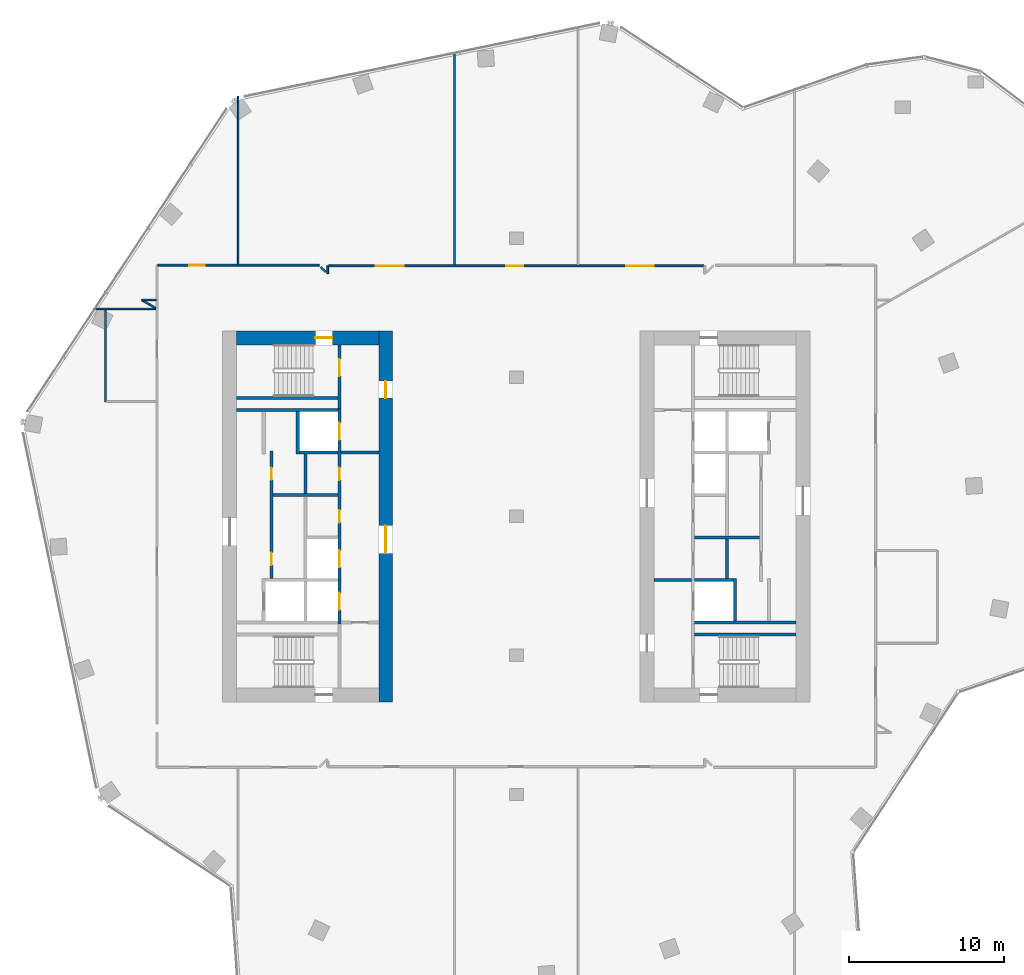
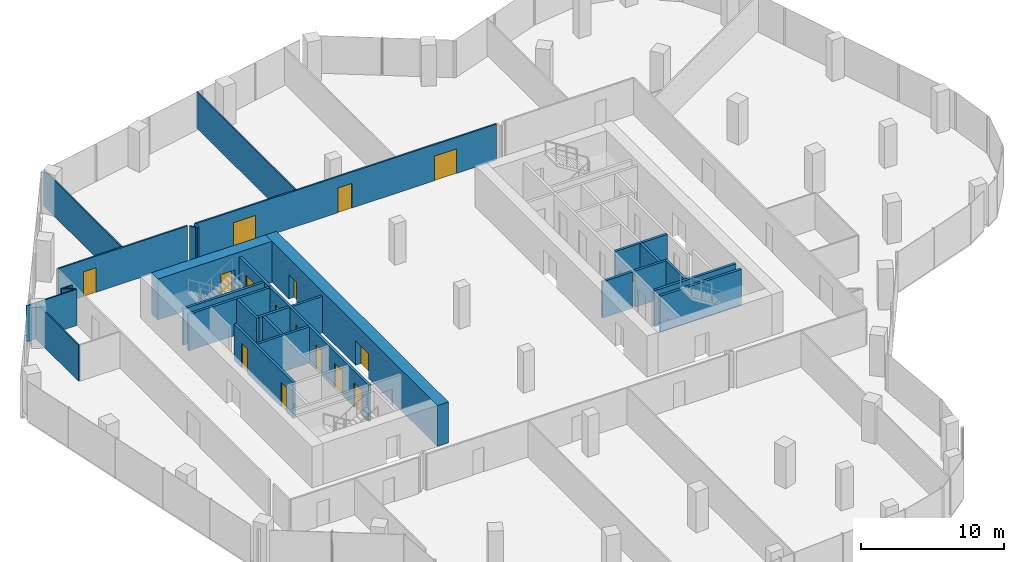
# One storey, part 19 of 24: 29 walls, 15 doors, 15 openings.
"""IFC4 building model written with IfcOpenShell, lengths in metres."""

from ifc_helpers import new_model, si_unit, direction, frame, frame_2d, origin, place, context, subcontext, project, spatial, rectangle, extrude, material, layer, layer_set, type_object, element, fill, save


model = new_model("IFC4")

# Units and contexts
model_context = context("Model", 3, precision=1e-05, world=origin(), true_north=direction((0.0, 1.0)))
body_context = subcontext(model_context, "Body", "Model", "MODEL_VIEW")
ifc_project = project(units=[si_unit("LENGTHUNIT", "METRE"), si_unit("AREAUNIT", "SQUARE_METRE"), si_unit("VOLUMEUNIT", "CUBIC_METRE"), si_unit("PLANEANGLEUNIT", "RADIAN"), si_unit("MASSUNIT", "GRAM", prefix="KILO")], contexts=[model_context])

# Site, building, storey
site_placement = place(None, origin())
site = spatial("IfcSite", under=ifc_project, at=site_placement, CompositionType="ELEMENT")
building_placement = place(site_placement, origin())
building = spatial("IfcBuilding", under=site, at=building_placement, Name="Orlundy Tower", CompositionType="ELEMENT")
storey_placement = place(building_placement, frame((0.0, 0.0, 242.5)))
storey = spatial("IfcBuildingStorey", under=building, at=storey_placement, Name="L64", CompositionType="ELEMENT", Elevation=242.5)

# Wall, opening, door
ifc_material_1 = material(Name="Concrete C60/75", Category="concrete")
ifc_layer_1 = layer(ifc_material_1, 0.89990234375)
ifc_layer_set_1 = layer_set([ifc_layer_1], Name="CORE WALL 900 C60/75")
wall_type_1 = type_object("IfcWallType", Name="CORE WALL 900 C60/75", PredefinedType="SHEAR", material=ifc_layer_set_1)
wall_1_placement = place(storey_placement, frame((-18.10009765625, 11.550048828125, 0.0), z_axis=(0.0, 0.0, 1.0), x_axis=(1.0, 0.0, 0.0)))
wall_1 = element("IfcWall", 1, at=wall_1_placement, inside=storey, type_object=wall_type_1, Name="Core wall W-N L64", PredefinedType="SHEAR", context=body_context, shape_type="SweptSolid", body=[
    extrude(rectangle(XDim=9.2001953125, YDim=0.89990234375, at=frame_2d((4.60009765625, 0.0))), origin(), (0.0, 0.0, 1.0), 3.5),
])
opening_1_placement = place(wall_1_placement, frame((5.10009765625, 0.0, 0.0)))
opening_1 = element("IfcOpeningElement", 2, at=opening_1_placement, cuts=wall_1, Name="Opening 48012", PredefinedType="OPENING", context=body_context, shape_type="SweptSolid", body=[
    extrude(rectangle(XDim=1.10009765625, YDim=2.10009765625, at=frame_2d((0.550048828125, 1.050048828125))), frame((0.0, 0.4599609375, 0.0), z_axis=(0.0, -1.0, 0.0), x_axis=(1.0, 0.0, 0.0)), (0.0, 0.0, 1.0), 0.919921875),
])
ifc_material_2 = material(Name="Steel door set", Category="steel")
door_type_1 = type_object("IfcDoorType", Name="Stair Door 1100x2100", OperationType="SINGLE_SWING_LEFT", PredefinedType="DOOR", material=ifc_material_2)
door_1_placement = place(opening_1_placement, origin())
door_1 = element("IfcDoor", 3, at=door_1_placement, inside=storey, type_object=door_type_1, Name="Stair door 48012", OperationType="SINGLE_SWING_RIGHT", OverallHeight=2.10009765625, OverallWidth=1.10009765625, PredefinedType="DOOR", context=body_context, shape_type="SweptSolid", body=[
    extrude(rectangle(XDim=1.10009765625, YDim=2.10009765625, at=frame_2d((0.550048828125, 1.050048828125))), frame((0.0, 0.02490234375, 0.0), z_axis=(0.0, -1.0, 0.0), x_axis=(1.0, 0.0, 0.0)), (0.0, 0.0, 1.0), 0.050048828125),
])
fill(opening_1, door_1)

# Wall, openings, doors
wall_2_placement = place(storey_placement, frame((-8.449951171875, -12.0, 0.0), z_axis=(0.0, 0.0, 1.0), x_axis=(0.0, 1.0, 0.0)))
wall_2 = element("IfcWall", 4, at=wall_2_placement, inside=storey, type_object=wall_type_1, Name="Core wall W-E L64", PredefinedType="SHEAR", context=body_context, shape_type="SweptSolid", body=[
    extrude(rectangle(XDim=24.0, YDim=0.89990234375, at=frame_2d((12.0, 0.0))), origin(), (0.0, 0.0, 1.0), 3.5),
])
opening_2_placement = place(wall_2_placement, frame((9.60009765625, 0.0, 0.0)))
opening_2 = element("IfcOpeningElement", 5, at=opening_2_placement, cuts=wall_2, Name="Opening 48009", PredefinedType="OPENING", context=body_context, shape_type="SweptSolid", body=[
    extrude(rectangle(XDim=1.800048828125, YDim=2.10009765625, at=frame_2d((0.89990234375, 1.050048828125))), frame((0.0, 0.4599609375, 0.0), z_axis=(0.0, -1.0, 0.0), x_axis=(1.0, 0.0, 0.0)), (0.0, 0.0, 1.0), 0.919921875),
])
opening_3_placement = place(wall_2_placement, frame((19.64990234375, 0.0, 0.0)))
opening_3 = element("IfcOpeningElement", 6, at=opening_3_placement, cuts=wall_2, Name="Opening 48011", PredefinedType="OPENING", context=body_context, shape_type="SweptSolid", body=[
    extrude(rectangle(XDim=1.10009765625, YDim=2.10009765625, at=frame_2d((0.550048828125, 1.050048828125))), frame((0.0, 0.4599609375, 0.0), z_axis=(0.0, -1.0, 0.0), x_axis=(1.0, 0.0, 0.0)), (0.0, 0.0, 1.0), 0.919921875),
])
ifc_material_3 = material(Name="Steel door set", Category="steel")
door_type_2 = type_object("IfcDoorType", Name="Fire-fighting Lobby Door 1100x2100", OperationType="SINGLE_SWING_LEFT", PredefinedType="DOOR", material=ifc_material_3)
door_2_placement = place(opening_3_placement, origin())
door_2 = element("IfcDoor", 7, at=door_2_placement, inside=storey, type_object=door_type_2, Name="Fire-fighting lobby door 48011", OperationType="SINGLE_SWING_RIGHT", OverallHeight=2.10009765625, OverallWidth=1.10009765625, PredefinedType="DOOR", context=body_context, shape_type="SweptSolid", body=[
    extrude(rectangle(XDim=1.10009765625, YDim=2.10009765625, at=frame_2d((0.550048828125, 1.050048828125))), frame((0.0, 0.02490234375, 0.0), z_axis=(0.0, -1.0, 0.0), x_axis=(1.0, 0.0, 0.0)), (0.0, 0.0, 1.0), 0.050048828125),
])
fill(opening_3, door_2)
ifc_material_4 = material(Name="Timber door set", Category="wood")
door_type_3 = type_object("IfcDoorType", Name="Lobby Door 1800x2100", OperationType="DOUBLE_DOOR_DOUBLE_SWING", PredefinedType="DOOR", material=ifc_material_4)
door_3_placement = place(opening_2_placement, origin())
door_3 = element("IfcDoor", 8, at=door_3_placement, inside=storey, type_object=door_type_3, Name="Lift lobby door 48009", OperationType="SINGLE_SWING_LEFT", OverallHeight=2.10009765625, OverallWidth=1.800048828125, PredefinedType="DOOR", context=body_context, shape_type="SweptSolid", body=[
    extrude(rectangle(XDim=1.800048828125, YDim=2.10009765625, at=frame_2d((0.89990234375, 1.050048828125))), frame((0.0, 0.02490234375, 0.0), z_axis=(0.0, -1.0, 0.0), x_axis=(1.0, 0.0, 0.0)), (0.0, 0.0, 1.0), 0.050048828125),
])
fill(opening_2, door_3)

# Walls
ifc_material_5 = material(Name="Gypsum board partition")
ifc_layer_2 = layer(ifc_material_5, 0.10009765625)
ifc_layer_set_2 = layer_set([ifc_layer_2], Name="Floor partition 100")
wall_type_2 = type_object("IfcWallType", Name="Floor partition 100", PredefinedType="PARTITIONING", material=ifc_layer_set_2)
wall_3_placement = place(storey_placement, frame((-24.2060546875, 13.97509765625, 0.0), z_axis=(0.0, 0.0, 1.0), x_axis=(0.866136921896, -0.4998067952, 0.0)))
element("IfcWall", 9, at=wall_3_placement, inside=storey, type_object=wall_type_2, Name="wall-int-L64-004", PredefinedType="PARTITIONING", context=body_context, shape_type="SweptSolid", body=[
    extrude(rectangle(XDim=1.00244140625, YDim=0.10009765625, at=frame_2d((0.501220703125, 0.0))), origin(), (0.0, 0.0, 1.0), 3.080078125),
])
wall_4_placement = place(storey_placement, frame((-27.376953125, 13.424072265625, 0.0), z_axis=(0.0, 0.0, 1.0), x_axis=(1.0, 0.0, 0.0)))
element("IfcWall", 10, at=wall_4_placement, inside=storey, type_object=wall_type_2, Name="wall-int-L64-013", PredefinedType="PARTITIONING", context=body_context, shape_type="SweptSolid", body=[
    extrude(rectangle(XDim=4.06298828125, YDim=0.10009765625, at=frame_2d((2.031494140625, 0.0))), origin(), (0.0, 0.0, 1.0), 3.080078125),
])
wall_5_placement = place(storey_placement, frame((-24.2490234375, 14.0, 0.0), z_axis=(0.0, 0.0, 1.0), x_axis=(1.0, 0.0, 0.0)))
element("IfcWall", 11, at=wall_5_placement, inside=storey, type_object=wall_type_2, Name="wall-int-L64-014", PredefinedType="PARTITIONING", context=body_context, shape_type="SweptSolid", body=[
    extrude(rectangle(XDim=0.93701171875, YDim=0.10009765625, at=frame_2d((0.468505859375, 0.0))), origin(), (0.0, 0.0, 1.0), 3.080078125),
])
wall_6_placement = place(storey_placement, frame((-4.0, 16.261962890625, 0.0), z_axis=(0.0, 0.0, 1.0), x_axis=(0.0, 1.0, 0.0)))
element("IfcWall", 12, at=wall_6_placement, inside=storey, type_object=wall_type_2, Name="wall-int-L64-032", PredefinedType="PARTITIONING", context=body_context, shape_type="SweptSolid", body=[
    extrude(rectangle(XDim=13.800048828125, YDim=0.10009765625, at=frame_2d((6.89990234375, 0.0))), origin(), (0.0, 0.0, 1.0), 3.080078125),
])
wall_7_placement = place(storey_placement, frame((-18.0, 16.31201171875, 0.0), z_axis=(0.0, 0.0, 1.0), x_axis=(0.0, 1.0, 0.0)))
element("IfcWall", 13, at=wall_7_placement, inside=storey, type_object=wall_type_2, Name="wall-int-L64-034", PredefinedType="PARTITIONING", context=body_context, shape_type="SweptSolid", body=[
    extrude(rectangle(XDim=10.85888671875, YDim=0.10009765625, at=frame_2d((5.429443359375, 0.0))), origin(), (0.0, 0.0, 1.0), 3.080078125),
])
wall_8_placement = place(storey_placement, frame((-26.58203125, 7.423095703125, 0.0), z_axis=(0.0, 0.0, 1.0), x_axis=(0.0, 1.0, 0.0)))
element("IfcWall", 14, at=wall_8_placement, inside=storey, type_object=wall_type_2, Name="wall-int-L64-037", PredefinedType="PARTITIONING", context=body_context, shape_type="SweptSolid", body=[
    extrude(rectangle(XDim=6.0, YDim=0.10009765625, at=frame_2d((3.0, 0.0))), origin(), (0.0, 0.0, 1.0), 3.080078125),
])
ifc_material_6 = material(Name="Gypsum board partition, double layer")
ifc_layer_3 = layer(ifc_material_6, 0.125)
ifc_layer_set_3 = layer_set([ifc_layer_3], Name="Floor partition 125")
wall_type_3 = type_object("IfcWallType", Name="Floor partition 125", PredefinedType="PARTITIONING", material=ifc_layer_set_3)
wall_9_placement = place(storey_placement, frame((-12.64599609375, 16.1240234375, 0.0), z_axis=(0.0, 0.0, 1.0), x_axis=(0.707106781187, -0.707106781187, 0.0)))
element("IfcWall", 15, at=wall_9_placement, inside=storey, type_object=wall_type_3, Name="wall-int-L64-003", PredefinedType="PARTITIONING", context=body_context, shape_type="SweptSolid", body=[
    extrude(rectangle(XDim=0.449951171875, YDim=0.125, at=frame_2d((0.22509765625, 0.0))), origin(), (0.0, 0.0, 1.0), 3.080078125),
])

# Wall, openings, doors
wall_10_placement = place(storey_placement, frame((-12.136962890625, 16.199951171875, 0.0), z_axis=(0.0, 0.0, 1.0), x_axis=(1.0, 0.0, 0.0)))
wall_10 = element("IfcWall", 16, at=wall_10_placement, inside=storey, type_object=wall_type_3, Name="wall-int-L64-016", PredefinedType="PARTITIONING", context=body_context, shape_type="SweptSolid", body=[
    extrude(rectangle(XDim=24.27587890625, YDim=0.125, at=frame_2d((12.137939453125, 0.0))), origin(), (0.0, 0.0, 1.0), 3.080078125),
])
opening_4_placement = place(wall_10_placement, frame((19.237548828125, 0.0, 0.0)))
opening_4 = element("IfcOpeningElement", 17, at=opening_4_placement, cuts=wall_10, Name="Opening 48108", PredefinedType="OPENING", context=body_context, shape_type="SweptSolid", body=[
    extrude(rectangle(XDim=1.800048828125, YDim=2.10009765625, at=frame_2d((0.89990234375, 1.050048828125))), frame((0.0, 0.072509765625, 0.0), z_axis=(0.0, -1.0, 0.0), x_axis=(1.0, 0.0, 0.0)), (0.0, 0.0, 1.0), 0.14501953125),
])
opening_5_placement = place(wall_10_placement, frame((11.487548828125, 0.0, 0.0)))
opening_5 = element("IfcOpeningElement", 18, at=opening_5_placement, cuts=wall_10, Name="Opening 48109", PredefinedType="OPENING", context=body_context, shape_type="SweptSolid", body=[
    extrude(rectangle(XDim=1.10009765625, YDim=2.10009765625, at=frame_2d((0.550048828125, 1.050048828125))), frame((0.0, 0.072509765625, 0.0), z_axis=(0.0, -1.0, 0.0), x_axis=(1.0, 0.0, 0.0)), (0.0, 0.0, 1.0), 0.14501953125),
])
opening_6_placement = place(wall_10_placement, frame((3.03759765625, 0.0, 0.0)))
opening_6 = element("IfcOpeningElement", 19, at=opening_6_placement, cuts=wall_10, Name="Opening 48110", PredefinedType="OPENING", context=body_context, shape_type="SweptSolid", body=[
    extrude(rectangle(XDim=1.800048828125, YDim=2.10009765625, at=frame_2d((0.89990234375, 1.050048828125))), frame((0.0, 0.072509765625, 0.0), z_axis=(0.0, -1.0, 0.0), x_axis=(1.0, 0.0, 0.0)), (0.0, 0.0, 1.0), 0.14501953125),
])
ifc_material_7 = material(Name="Timber door leaf", Category="wood")
door_type_4 = type_object("IfcDoorType", Name="Floor door double 1800 FD30S", OperationType="NOTDEFINED", PredefinedType="DOOR", material=ifc_material_7)
door_4_placement = place(opening_4_placement, origin())
door_4 = element("IfcDoor", 20, at=door_4_placement, inside=storey, type_object=door_type_4, Name="Door 48108", OperationType="DOUBLE_DOOR_SINGLE_SWING", OverallHeight=2.10009765625, OverallWidth=1.800048828125, PredefinedType="DOOR", context=body_context, shape_type="SweptSolid", body=[
    extrude(rectangle(XDim=1.800048828125, YDim=2.10009765625, at=frame_2d((0.89990234375, 1.050048828125))), frame((0.0, 0.02490234375, 0.0), z_axis=(0.0, -1.0, 0.0), x_axis=(1.0, 0.0, 0.0)), (0.0, 0.0, 1.0), 0.050048828125),
])
fill(opening_4, door_4)
door_5_placement = place(opening_6_placement, origin())
door_5 = element("IfcDoor", 21, at=door_5_placement, inside=storey, type_object=door_type_4, Name="Door 48110", OperationType="DOUBLE_DOOR_SINGLE_SWING", OverallHeight=2.10009765625, OverallWidth=1.800048828125, PredefinedType="DOOR", context=body_context, shape_type="SweptSolid", body=[
    extrude(rectangle(XDim=1.800048828125, YDim=2.10009765625, at=frame_2d((0.89990234375, 1.050048828125))), frame((0.0, 0.02490234375, 0.0), z_axis=(0.0, -1.0, 0.0), x_axis=(1.0, 0.0, 0.0)), (0.0, 0.0, 1.0), 0.050048828125),
])
fill(opening_6, door_5)
ifc_material_8 = material(Name="Timber door leaf", Category="wood")
door_type_5 = type_object("IfcDoorType", Name="Floor door xwide 1100 FD30S", OperationType="NOTDEFINED", PredefinedType="DOOR", material=ifc_material_8)
door_6_placement = place(opening_5_placement, origin())
door_6 = element("IfcDoor", 22, at=door_6_placement, inside=storey, type_object=door_type_5, Name="Door 48109", OperationType="SINGLE_SWING_LEFT", OverallHeight=2.10009765625, OverallWidth=1.10009765625, PredefinedType="DOOR", context=body_context, shape_type="SweptSolid", body=[
    extrude(rectangle(XDim=1.10009765625, YDim=2.10009765625, at=frame_2d((0.550048828125, 1.050048828125))), frame((0.0, 0.02490234375, 0.0), z_axis=(0.0, -1.0, 0.0), x_axis=(1.0, 0.0, 0.0)), (0.0, 0.0, 1.0), 0.050048828125),
])
fill(opening_5, door_6)

# Wall, opening, door
wall_11_placement = place(storey_placement, frame((-23.18798828125, 16.25, 0.0), z_axis=(0.0, 0.0, 1.0), x_axis=(1.0, 0.0, 0.0)))
wall_11 = element("IfcWall", 23, at=wall_11_placement, inside=storey, type_object=wall_type_3, Name="wall-int-L64-017", PredefinedType="PARTITIONING", context=body_context, shape_type="SweptSolid", body=[
    extrude(rectangle(XDim=10.428955078125, YDim=0.125, at=frame_2d((5.21435546875, 0.0))), origin(), (0.0, 0.0, 1.0), 3.080078125),
])
opening_7_placement = place(wall_11_placement, frame((2.03759765625, 0.0, 0.0)))
opening_7 = element("IfcOpeningElement", 24, at=opening_7_placement, cuts=wall_11, Name="Opening 48111", PredefinedType="OPENING", context=body_context, shape_type="SweptSolid", body=[
    extrude(rectangle(XDim=1.0, YDim=2.10009765625, at=frame_2d((0.5, 1.050048828125))), frame((0.0, 0.072509765625, 0.0), z_axis=(0.0, -1.0, 0.0), x_axis=(1.0, 0.0, 0.0)), (0.0, 0.0, 1.0), 0.14501953125),
])
ifc_material_9 = material(Name="Timber door leaf", Category="wood")
door_type_6 = type_object("IfcDoorType", Name="Floor door wide 1000 FD30S", OperationType="NOTDEFINED", PredefinedType="DOOR", material=ifc_material_9)
door_7_placement = place(opening_7_placement, origin())
door_7 = element("IfcDoor", 25, at=door_7_placement, inside=storey, type_object=door_type_6, Name="Door 48111", OperationType="SINGLE_SWING_LEFT", OverallHeight=2.10009765625, OverallWidth=1.0, PredefinedType="DOOR", context=body_context, shape_type="SweptSolid", body=[
    extrude(rectangle(XDim=1.0, YDim=2.10009765625, at=frame_2d((0.5, 1.050048828125))), frame((0.0, 0.02490234375, 0.0), z_axis=(0.0, -1.0, 0.0), x_axis=(1.0, 0.0, 0.0)), (0.0, 0.0, 1.0), 0.050048828125),
])
fill(opening_7, door_7)

# Wall
wall_12_placement = place(storey_placement, frame((-12.200927734375, 15.69189453125, 0.0), z_axis=(0.0, 0.0, 1.0), x_axis=(0.00192214926, 0.999998152669, 0.0)))
element("IfcWall", 26, at=wall_12_placement, inside=storey, type_object=wall_type_3, Name="wall-int-L64-022", PredefinedType="PARTITIONING", context=body_context, shape_type="SweptSolid", body=[
    extrude(rectangle(XDim=0.508056640625, YDim=0.125, at=frame_2d((0.25390625, 0.0))), origin(), (0.0, 0.0, 1.0), 3.080078125),
])

# Wall, opening, door
ifc_material_10 = material(Name="Concrete C40/50", Category="concrete")
ifc_layer_4 = layer(ifc_material_10, 0.199951171875)
ifc_layer_set_4 = layer_set([ifc_layer_4], Name="Load-bearing Shaft Wall 200")
wall_type_4 = type_object("IfcWallType", Name="Load-bearing Shaft Wall 200", PredefinedType="SOLIDWALL", material=ifc_layer_set_4)
wall_13_placement = place(storey_placement, frame((-11.43994140625, 6.97509765625, 0.0), z_axis=(0.0, 0.0, 1.0), x_axis=(0.0, 1.0, 0.0)))
wall_13 = element("IfcWall", 27, at=wall_13_placement, inside=storey, type_object=wall_type_4, Name="Shaft wall W48-stair-end-n", PredefinedType="SOLIDWALL", context=body_context, shape_type="SweptSolid", body=[
    extrude(rectangle(XDim=4.125, YDim=0.199951171875, at=frame_2d((2.0625, 0.0))), origin(), (0.0, 0.0, 1.0), 3.090087890625),
])
opening_8_placement = place(wall_13_placement, frame((2.10009765625, 0.0, 0.0)))
opening_8 = element("IfcOpeningElement", 28, at=opening_8_placement, cuts=wall_13, Name="Opening 48014", PredefinedType="OPENING", context=body_context, shape_type="SweptSolid", body=[
    extrude(rectangle(XDim=1.10009765625, YDim=2.10009765625, at=frame_2d((0.550048828125, 1.050048828125))), frame((0.0, 0.110107421875, 0.0), z_axis=(0.0, -1.0, 0.0), x_axis=(1.0, 0.0, 0.0)), (0.0, 0.0, 1.0), 0.22021484375),
])
door_8_placement = place(opening_8_placement, origin())
door_8 = element("IfcDoor", 29, at=door_8_placement, inside=storey, type_object=door_type_2, Name="Fire-fighting lobby to stair door 48014", OperationType="SINGLE_SWING_RIGHT", OverallHeight=2.10009765625, OverallWidth=1.10009765625, PredefinedType="DOOR", context=body_context, shape_type="SweptSolid", body=[
    extrude(rectangle(XDim=1.10009765625, YDim=2.10009765625, at=frame_2d((0.550048828125, 1.050048828125))), frame((0.0, 0.02490234375, 0.0), z_axis=(0.0, -1.0, 0.0), x_axis=(1.0, 0.0, 0.0)), (0.0, 0.0, 1.0), 0.050048828125),
])
fill(opening_8, door_8)

# Walls
for number, where, z_axis, x_axis, name in (
    (30, (-11.5400390625, 7.64990234375, 0.0), (0.0, 0.0, 1.0), (-1.0, 0.0, 0.0), "Shaft wall W48-stair-side-n"),
    (31, (11.5400390625, -7.64990234375, 0.0), (0.0, 0.0, 1.0), (1.0, 0.0, 0.0), "Shaft wall E48-stair-side-n"),
):
    element("IfcWall", number, at=place(storey_placement, frame(where, z_axis=z_axis, x_axis=x_axis)), inside=storey, type_object=wall_type_4, Name=name, PredefinedType="SOLIDWALL", context=body_context, shape_type="SweptSolid", body=[
        extrude(rectangle(XDim=6.56005859375, YDim=0.199951171875, at=frame_2d((3.280029296875, 0.0))), origin(), (0.0, 0.0, 1.0), 3.090087890625),
    ])
ifc_material_11 = material(Name="Gypsum board partition on steel studs", Category="steel")
ifc_layer_5 = layer(ifc_material_11, 0.199951171875)
ifc_layer_set_5 = layer_set([ifc_layer_5], Name="Partition 200")
wall_type_5 = type_object("IfcWallType", Name="Partition 200", PredefinedType="PARTITIONING", material=ifc_layer_set_5)
for number, where, z_axis, x_axis, name in (
    (32, (-8.89990234375, 4.125, 0.0), (0.0, 0.0, 1.0), (-1.0, 0.0, 0.0), "Partition wall W48-lobby-n"),
    (33, (8.89990234375, -4.125, 0.0), (0.0, 0.0, 1.0), (1.0, 0.0, 0.0), "Partition wall E48-lobby-n"),
):
    element("IfcWall", number, at=place(storey_placement, frame(where, z_axis=z_axis, x_axis=x_axis)), inside=storey, type_object=wall_type_5, Name=name, PredefinedType="PARTITIONING", context=body_context, shape_type="SweptSolid", body=[
        extrude(rectangle(XDim=2.440185546875, YDim=0.199951171875, at=frame_2d((1.22021484375, 0.0))), origin(), (0.0, 0.0, 1.0), 3.090087890625),
    ])
ifc_material_12 = material(Name="Fire-rated blockwork shaft wall", Category="masonry")
ifc_layer_6 = layer(ifc_material_12, 0.199951171875)
ifc_layer_set_6 = layer_set([ifc_layer_6], Name="Shaft Wall 200")
wall_type_6 = type_object("IfcWallType", Name="Shaft Wall 200", PredefinedType="SOLIDWALL", material=ifc_layer_set_6)
wall_14_placement = place(storey_placement, frame((-11.5400390625, 6.875, 0.0), z_axis=(0.0, 0.0, 1.0), x_axis=(-1.0, 0.0, 0.0)))
element("IfcWall", 34, at=wall_14_placement, inside=storey, type_object=wall_type_6, Name="Shaft wall W48-zone-n", PredefinedType="SOLIDWALL", context=body_context, shape_type="SweptSolid", body=[
    extrude(rectangle(XDim=6.56005859375, YDim=0.199951171875, at=frame_2d((3.280029296875, 0.0))), origin(), (0.0, 0.0, 1.0), 3.090087890625),
])
wall_15_placement = place(storey_placement, frame((-11.5400390625, 1.375, 0.0), z_axis=(0.0, 0.0, 1.0), x_axis=(-1.0, 0.0, 0.0)))
element("IfcWall", 35, at=wall_15_placement, inside=storey, type_object=wall_type_6, Name="Shaft wall W48-cross+1.375", PredefinedType="SOLIDWALL", context=body_context, shape_type="SweptSolid", body=[
    extrude(rectangle(XDim=4.199951171875, YDim=0.199951171875, at=frame_2d((2.10009765625, 0.0))), origin(), (0.0, 0.0, 1.0), 3.090087890625),
])
wall_16_placement = place(storey_placement, frame((-11.5400390625, 4.125, 0.0), z_axis=(0.0, 0.0, 1.0), x_axis=(-1.0, 0.0, 0.0)))
element("IfcWall", 36, at=wall_16_placement, inside=storey, type_object=wall_type_6, Name="Shaft wall W48-cross+4.125", PredefinedType="SOLIDWALL", context=body_context, shape_type="SweptSolid", body=[
    extrude(rectangle(XDim=2.5, YDim=0.199951171875, at=frame_2d((1.25, 0.0))), origin(), (0.0, 0.0, 1.0), 3.090087890625),
])

# Wall, openings, doors
wall_17_placement = place(storey_placement, frame((-11.43994140625, -6.97509765625, 0.0), z_axis=(0.0, 0.0, 1.0), x_axis=(0.0, 1.0, 0.0)))
wall_17 = element("IfcWall", 37, at=wall_17_placement, inside=storey, type_object=wall_type_6, Name="Shaft wall W48-front-h", PredefinedType="SOLIDWALL", context=body_context, shape_type="SweptSolid", body=[
    extrude(rectangle(XDim=13.9501953125, YDim=0.199951171875, at=frame_2d((6.97509765625, 0.0))), origin(), (0.0, 0.0, 1.0), 3.090087890625),
])
opening_9_placement = place(wall_17_placement, frame((0.925048828125, 0.0, 0.0)))
opening_9 = element("IfcOpeningElement", 38, at=opening_9_placement, cuts=wall_17, Name="Opening 48001", PredefinedType="OPENING", context=body_context, shape_type="SweptSolid", body=[
    extrude(rectangle(XDim=1.10009765625, YDim=2.10009765625, at=frame_2d((0.550048828125, 1.050048828125))), frame((0.0, 0.110107421875, 0.0), z_axis=(0.0, -1.0, 0.0), x_axis=(1.0, 0.0, 0.0)), (0.0, 0.0, 1.0), 0.22021484375),
])
opening_10_placement = place(wall_17_placement, frame((3.675048828125, 0.0, 0.0)))
opening_10 = element("IfcOpeningElement", 39, at=opening_10_placement, cuts=wall_17, Name="Opening 48003", PredefinedType="OPENING", context=body_context, shape_type="SweptSolid", body=[
    extrude(rectangle(XDim=1.10009765625, YDim=2.10009765625, at=frame_2d((0.550048828125, 1.050048828125))), frame((0.0, 0.110107421875, 0.0), z_axis=(0.0, -1.0, 0.0), x_axis=(1.0, 0.0, 0.0)), (0.0, 0.0, 1.0), 0.22021484375),
])
opening_11_placement = place(wall_17_placement, frame((11.925048828125, 0.0, 0.0)))
opening_11 = element("IfcOpeningElement", 40, at=opening_11_placement, cuts=wall_17, Name="Opening 48004", PredefinedType="OPENING", context=body_context, shape_type="SweptSolid", body=[
    extrude(rectangle(XDim=1.10009765625, YDim=2.10009765625, at=frame_2d((0.550048828125, 1.050048828125))), frame((0.0, 0.110107421875, 0.0), z_axis=(0.0, -1.0, 0.0), x_axis=(1.0, 0.0, 0.0)), (0.0, 0.0, 1.0), 0.22021484375),
])
opening_12_placement = place(wall_17_placement, frame((6.574951171875, 0.0, 0.0)))
opening_12 = element("IfcOpeningElement", 41, at=opening_12_placement, cuts=wall_17, Name="Opening 48006", PredefinedType="OPENING", context=body_context, shape_type="SweptSolid", body=[
    extrude(rectangle(XDim=0.800048828125, YDim=2.10009765625, at=frame_2d((0.39990234375, 1.050048828125))), frame((0.0, 0.110107421875, 0.0), z_axis=(0.0, -1.0, 0.0), x_axis=(1.0, 0.0, 0.0)), (0.0, 0.0, 1.0), 0.22021484375),
])
opening_13_placement = place(wall_17_placement, frame((9.324951171875, 0.0, 0.0)))
opening_13 = element("IfcOpeningElement", 42, at=opening_13_placement, cuts=wall_17, Name="Opening 48007", PredefinedType="OPENING", context=body_context, shape_type="SweptSolid", body=[
    extrude(rectangle(XDim=0.800048828125, YDim=2.10009765625, at=frame_2d((0.39990234375, 1.050048828125))), frame((0.0, 0.110107421875, 0.0), z_axis=(0.0, -1.0, 0.0), x_axis=(1.0, 0.0, 0.0)), (0.0, 0.0, 1.0), 0.22021484375),
])
ifc_material_13 = material(Name="Steel door set", Category="steel")
door_type_7 = type_object("IfcDoorType", Name="Landing Door 1100x2100", OperationType="DOUBLE_DOOR_SLIDING", PredefinedType="DOOR", material=ifc_material_13)
door_9_placement = place(opening_9_placement, origin())
door_9 = element("IfcDoor", 43, at=door_9_placement, inside=storey, type_object=door_type_7, Name="Lift landing door LP-22 48001", OperationType="DOUBLE_DOOR_SLIDING", OverallHeight=2.10009765625, OverallWidth=1.10009765625, PredefinedType="DOOR", context=body_context, shape_type="SweptSolid", body=[
    extrude(rectangle(XDim=1.10009765625, YDim=2.10009765625, at=frame_2d((0.550048828125, 1.050048828125))), frame((0.0, 0.02490234375, 0.0), z_axis=(0.0, -1.0, 0.0), x_axis=(1.0, 0.0, 0.0)), (0.0, 0.0, 1.0), 0.050048828125),
])
fill(opening_9, door_9)
door_10_placement = place(opening_10_placement, origin())
door_10 = element("IfcDoor", 44, at=door_10_placement, inside=storey, type_object=door_type_7, Name="Lift landing door LP-21 48003", OperationType="DOUBLE_DOOR_SLIDING", OverallHeight=2.10009765625, OverallWidth=1.10009765625, PredefinedType="DOOR", context=body_context, shape_type="SweptSolid", body=[
    extrude(rectangle(XDim=1.10009765625, YDim=2.10009765625, at=frame_2d((0.550048828125, 1.050048828125))), frame((0.0, 0.02490234375, 0.0), z_axis=(0.0, -1.0, 0.0), x_axis=(1.0, 0.0, 0.0)), (0.0, 0.0, 1.0), 0.050048828125),
])
fill(opening_10, door_10)
door_11_placement = place(opening_11_placement, origin())
door_11 = element("IfcDoor", 45, at=door_11_placement, inside=storey, type_object=door_type_7, Name="Lift landing door FL1 48004", OperationType="DOUBLE_DOOR_SLIDING", OverallHeight=2.10009765625, OverallWidth=1.10009765625, PredefinedType="DOOR", context=body_context, shape_type="SweptSolid", body=[
    extrude(rectangle(XDim=1.10009765625, YDim=2.10009765625, at=frame_2d((0.550048828125, 1.050048828125))), frame((0.0, 0.02490234375, 0.0), z_axis=(0.0, -1.0, 0.0), x_axis=(1.0, 0.0, 0.0)), (0.0, 0.0, 1.0), 0.050048828125),
])
fill(opening_11, door_11)
ifc_material_14 = material(Name="Timber door set", Category="wood")
door_type_8 = type_object("IfcDoorType", Name="Riser Door 800x2100", OperationType="SINGLE_SWING_LEFT", PredefinedType="DOOR", material=ifc_material_14)
door_12_placement = place(opening_12_placement, origin())
door_12 = element("IfcDoor", 46, at=door_12_placement, inside=storey, type_object=door_type_8, Name="Security Store door 48006", OperationType="SINGLE_SWING_LEFT", OverallHeight=2.10009765625, OverallWidth=0.800048828125, PredefinedType="DOOR", context=body_context, shape_type="SweptSolid", body=[
    extrude(rectangle(XDim=0.800048828125, YDim=2.10009765625, at=frame_2d((0.39990234375, 1.050048828125))), frame((0.0, 0.02490234375, 0.0), z_axis=(0.0, -1.0, 0.0), x_axis=(1.0, 0.0, 0.0)), (0.0, 0.0, 1.0), 0.050048828125),
])
fill(opening_12, door_12)
door_13_placement = place(opening_13_placement, origin())
door_13 = element("IfcDoor", 47, at=door_13_placement, inside=storey, type_object=door_type_8, Name="Furniture Store door 48007", OperationType="SINGLE_SWING_LEFT", OverallHeight=2.10009765625, OverallWidth=0.800048828125, PredefinedType="DOOR", context=body_context, shape_type="SweptSolid", body=[
    extrude(rectangle(XDim=0.800048828125, YDim=2.10009765625, at=frame_2d((0.39990234375, 1.050048828125))), frame((0.0, 0.02490234375, 0.0), z_axis=(0.0, -1.0, 0.0), x_axis=(1.0, 0.0, 0.0)), (0.0, 0.0, 1.0), 0.050048828125),
])
fill(opening_13, door_13)

# Walls
wall_18_placement = place(storey_placement, frame((-13.639892578125, 1.47509765625, 0.0), z_axis=(0.0, 0.0, 1.0), x_axis=(0.0, 1.0, 0.0)))
element("IfcWall", 48, at=wall_18_placement, inside=storey, type_object=wall_type_6, Name="Shaft wall W48-mid-a.2", PredefinedType="SOLIDWALL", context=body_context, shape_type="SweptSolid", body=[
    extrude(rectangle(XDim=2.5498046875, YDim=0.199951171875, at=frame_2d((1.27490234375, 0.0))), origin(), (0.0, 0.0, 1.0), 3.090087890625),
])
wall_19_placement = place(storey_placement, frame((-14.139892578125, 4.02490234375, 0.0), z_axis=(0.0, 0.0, 1.0), x_axis=(0.0, 1.0, 0.0)))
element("IfcWall", 49, at=wall_19_placement, inside=storey, type_object=wall_type_6, Name="Shaft wall W48-mid-b", PredefinedType="SOLIDWALL", context=body_context, shape_type="SweptSolid", body=[
    extrude(rectangle(XDim=2.75, YDim=0.199951171875, at=frame_2d((1.375, 0.0))), origin(), (0.0, 0.0, 1.0), 3.090087890625),
])

# Wall, openings, doors
wall_20_placement = place(storey_placement, frame((-15.840087890625, -4.02490234375, 0.0), z_axis=(0.0, 0.0, 1.0), x_axis=(0.0, 1.0, 0.0)))
wall_20 = element("IfcWall", 50, at=wall_20_placement, inside=storey, type_object=wall_type_6, Name="Shaft wall W48-front-o-b", PredefinedType="SOLIDWALL", context=body_context, shape_type="SweptSolid", body=[
    extrude(rectangle(XDim=8.25, YDim=0.199951171875, at=frame_2d((4.125, 0.0))), origin(), (0.0, 0.0, 1.0), 3.090087890625),
])
opening_14_placement = place(wall_20_placement, frame((0.875, 0.0, 0.0)))
opening_14 = element("IfcOpeningElement", 51, at=opening_14_placement, cuts=wall_20, Name="Opening 48005", PredefinedType="OPENING", context=body_context, shape_type="SweptSolid", body=[
    extrude(rectangle(XDim=0.800048828125, YDim=2.10009765625, at=frame_2d((0.39990234375, 1.050048828125))), frame((0.0, 0.110107421875, 0.0), z_axis=(0.0, -1.0, 0.0), x_axis=(1.0, 0.0, 0.0)), (0.0, 0.0, 1.0), 0.22021484375),
])
opening_15_placement = place(wall_20_placement, frame((6.375, 0.0, 0.0)))
opening_15 = element("IfcOpeningElement", 52, at=opening_15_placement, cuts=wall_20, Name="Opening 48008", PredefinedType="OPENING", context=body_context, shape_type="SweptSolid", body=[
    extrude(rectangle(XDim=0.800048828125, YDim=2.10009765625, at=frame_2d((0.39990234375, 1.050048828125))), frame((0.0, 0.110107421875, 0.0), z_axis=(0.0, -1.0, 0.0), x_axis=(1.0, 0.0, 0.0)), (0.0, 0.0, 1.0), 0.22021484375),
])
door_14_placement = place(opening_14_placement, origin())
door_14 = element("IfcDoor", 53, at=door_14_placement, inside=storey, type_object=door_type_8, Name="HVAC Riser door 48005", OperationType="SINGLE_SWING_LEFT", OverallHeight=2.10009765625, OverallWidth=0.800048828125, PredefinedType="DOOR", context=body_context, shape_type="SweptSolid", body=[
    extrude(rectangle(XDim=0.800048828125, YDim=2.10009765625, at=frame_2d((0.39990234375, 1.050048828125))), frame((0.0, 0.02490234375, 0.0), z_axis=(0.0, -1.0, 0.0), x_axis=(1.0, 0.0, 0.0)), (0.0, 0.0, 1.0), 0.050048828125),
])
fill(opening_14, door_14)
door_15_placement = place(opening_15_placement, origin())
door_15 = element("IfcDoor", 54, at=door_15_placement, inside=storey, type_object=door_type_8, Name="Cleaner's Store door 48008", OperationType="SINGLE_SWING_LEFT", OverallHeight=2.10009765625, OverallWidth=0.800048828125, PredefinedType="DOOR", context=body_context, shape_type="SweptSolid", body=[
    extrude(rectangle(XDim=0.800048828125, YDim=2.10009765625, at=frame_2d((0.39990234375, 1.050048828125))), frame((0.0, 0.02490234375, 0.0), z_axis=(0.0, -1.0, 0.0), x_axis=(1.0, 0.0, 0.0)), (0.0, 0.0, 1.0), 0.050048828125),
])
fill(opening_15, door_15)

# Walls
wall_21_placement = place(storey_placement, frame((11.5400390625, -6.875, 0.0), z_axis=(0.0, 0.0, 1.0), x_axis=(1.0, 0.0, 0.0)))
element("IfcWall", 55, at=wall_21_placement, inside=storey, type_object=wall_type_6, Name="Shaft wall E48-zone-n", PredefinedType="SOLIDWALL", context=body_context, shape_type="SweptSolid", body=[
    extrude(rectangle(XDim=6.56005859375, YDim=0.199951171875, at=frame_2d((3.280029296875, 0.0))), origin(), (0.0, 0.0, 1.0), 3.090087890625),
])
wall_22_placement = place(storey_placement, frame((11.5400390625, -1.375, 0.0), z_axis=(0.0, 0.0, 1.0), x_axis=(1.0, 0.0, 0.0)))
element("IfcWall", 56, at=wall_22_placement, inside=storey, type_object=wall_type_6, Name="Shaft wall E48-cross+1.375", PredefinedType="SOLIDWALL", context=body_context, shape_type="SweptSolid", body=[
    extrude(rectangle(XDim=4.199951171875, YDim=0.199951171875, at=frame_2d((2.10009765625, 0.0))), origin(), (0.0, 0.0, 1.0), 3.090087890625),
])
wall_23_placement = place(storey_placement, frame((11.5400390625, -4.125, 0.0), z_axis=(0.0, 0.0, 1.0), x_axis=(1.0, 0.0, 0.0)))
element("IfcWall", 57, at=wall_23_placement, inside=storey, type_object=wall_type_6, Name="Shaft wall E48-cross+4.125", PredefinedType="SOLIDWALL", context=body_context, shape_type="SweptSolid", body=[
    extrude(rectangle(XDim=2.5, YDim=0.199951171875, at=frame_2d((1.25, 0.0))), origin(), (0.0, 0.0, 1.0), 3.090087890625),
])
wall_24_placement = place(storey_placement, frame((13.639892578125, -1.47509765625, 0.0), z_axis=(0.0, 0.0, 1.0), x_axis=(0.0, -1.0, 0.0)))
element("IfcWall", 58, at=wall_24_placement, inside=storey, type_object=wall_type_6, Name="Shaft wall E48-mid-a.2", PredefinedType="SOLIDWALL", context=body_context, shape_type="SweptSolid", body=[
    extrude(rectangle(XDim=2.5498046875, YDim=0.199951171875, at=frame_2d((1.27490234375, 0.0))), origin(), (0.0, 0.0, 1.0), 3.090087890625),
])
wall_25_placement = place(storey_placement, frame((14.139892578125, -4.02490234375, 0.0), z_axis=(0.0, 0.0, 1.0), x_axis=(0.0, -1.0, 0.0)))
element("IfcWall", 59, at=wall_25_placement, inside=storey, type_object=wall_type_6, Name="Shaft wall E48-mid-b", PredefinedType="SOLIDWALL", context=body_context, shape_type="SweptSolid", body=[
    extrude(rectangle(XDim=2.75, YDim=0.199951171875, at=frame_2d((1.375, 0.0))), origin(), (0.0, 0.0, 1.0), 3.090087890625),
])

save(model, "model.ifc")
